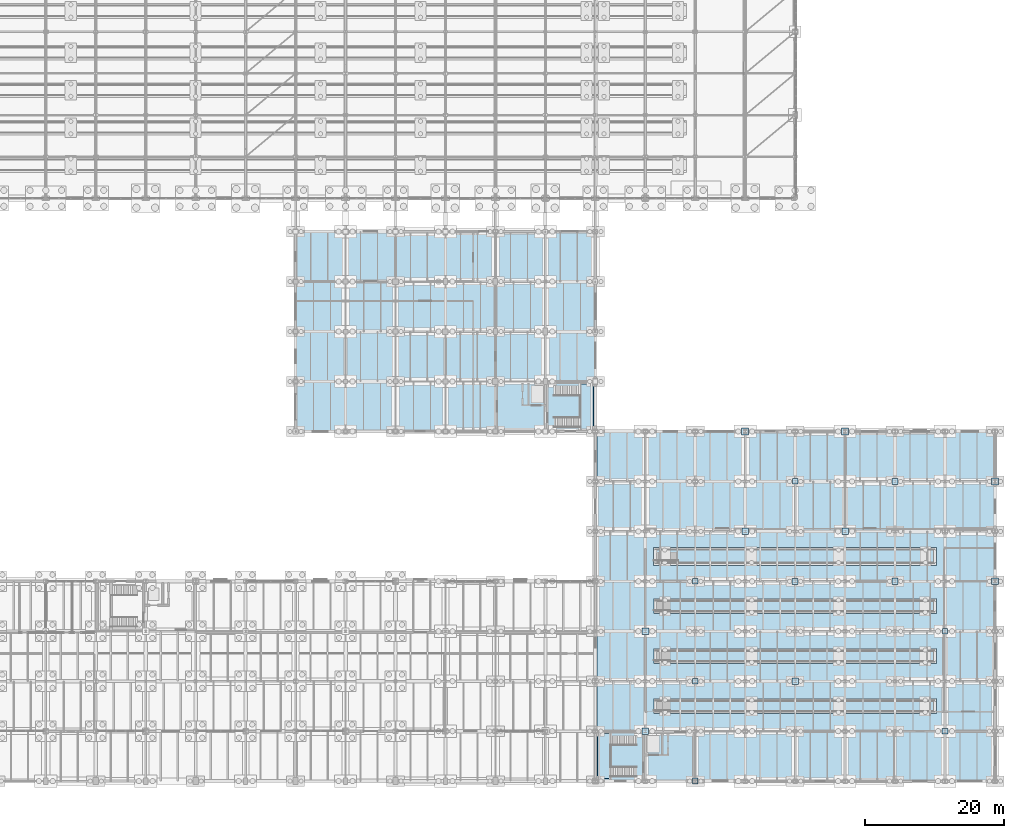
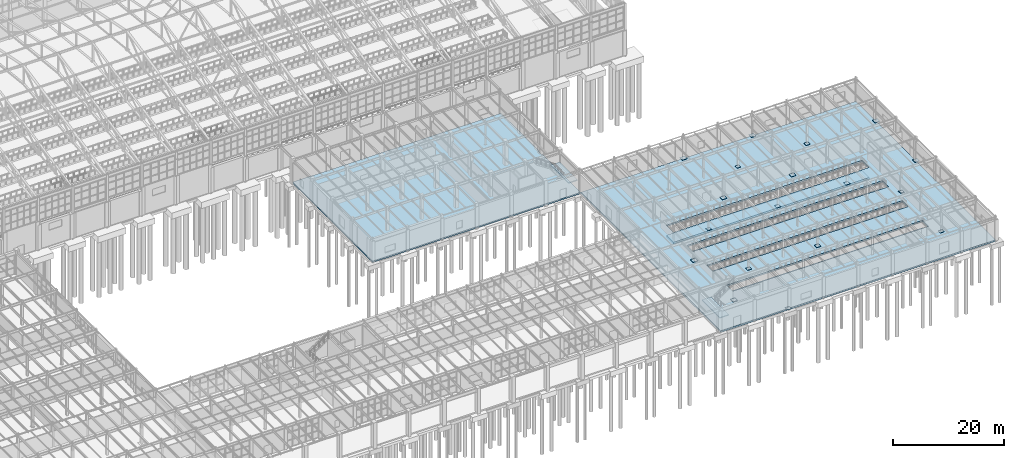
# One storey, part 244 of 293: 18 plates, 8 slabs, 2 elements without a shape of their own.
"""IFC4 building model written with IfcOpenShell, lengths in metres."""

import ifcopenshell
import ifcopenshell.guid

model = None  # the IFC model being written
_history = None  # IfcOwnerHistory: only IFC2X3 demands one
_inside = {}  # id of a spatial element -> (the spatial element, [elements in it])
_under = {}  # id of a project, library or spatial element -> (it, [spatial elements below it])
_declared = {}  # id of a project -> (the project, [libraries it declares])
_typed = {}  # id of a type object -> (the type object, [elements of that type])
_made_of = {}  # id of a material, layer set ... -> (it, [elements and type objects made of it])


def new_model(schema):
    """Start an empty IFC model of exactly this schema.

    Asked for "IFC4X3", IfcOpenShell would pick the latest addendum, in which some entities
    have other attributes; the version numbers below select the first issue.
    IFC2X3 requires an IfcOwnerHistory on every rooted entity: one is made here for all.
    """
    global model, _history
    if schema == "IFC4X3":
        model = ifcopenshell.file(schema_version=(4, 3, 0, 0))
    else:
        model = ifcopenshell.file(schema=schema)
    _inside.clear()
    _under.clear()
    _declared.clear()
    _typed.clear()
    _made_of.clear()
    _history = None
    if model.schema == "IFC2X3":
        org = make("IfcOrganization", Name="unknown")
        user = make(
            "IfcPersonAndOrganization",
            ThePerson=make("IfcPerson", FamilyName="unknown"),
            TheOrganization=org,
        )
        app = make(
            "IfcApplication",
            ApplicationDeveloper=org,
            Version="unknown",
            ApplicationFullName="unknown",
            ApplicationIdentifier="unknown",
        )
        _history = make(
            "IfcOwnerHistory",
            OwningUser=user,
            OwningApplication=app,
            ChangeAction="ADDED",
            CreationDate=0,
        )
    return model


def make(cls, **values):
    """One entity of the class cls with the attributes given. An attribute that is None is left unset."""
    return model.create_entity(
        cls, **{name: value for name, value in values.items() if value is not None}
    )


def rooted(cls, **values):
    """An entity with a GlobalId (a new one), such as an element, a storey or a relation."""
    return make(cls, GlobalId=ifcopenshell.guid.new(), OwnerHistory=_history, **values)


def si_unit(unit_type, name, prefix=None):
    """IfcSIUnit, for example si_unit("LENGTHUNIT", "METRE", prefix="MILLI")."""
    return make("IfcSIUnit", UnitType=unit_type, Prefix=prefix, Name=name)


def assignment(units):
    """IfcUnitAssignment: the units of a project."""
    return None if units is None else make("IfcUnitAssignment", Units=units)


def point(xyz):
    """IfcCartesianPoint."""
    return None if xyz is None else make("IfcCartesianPoint", Coordinates=xyz)


def direction(xyz):
    """IfcDirection."""
    return None if xyz is None else make("IfcDirection", DirectionRatios=xyz)


def frame(location, z_axis=None, x_axis=None):
    """IfcAxis2Placement3D, a coordinate frame: its origin and axes. An axis left out is left unset."""
    return make(
        "IfcAxis2Placement3D",
        Location=point(location),
        Axis=direction(z_axis),
        RefDirection=direction(x_axis),
    )


def frame_2d(location, x_axis=None):
    """IfcAxis2Placement2D, a coordinate frame in the plane: its origin and x axis."""
    return make(
        "IfcAxis2Placement2D", Location=point(location), RefDirection=direction(x_axis)
    )


def origin():
    """The frame at (0, 0, 0) with its axes left unset."""
    return frame((0.0, 0.0, 0.0))


def origin_2d():
    """The frame at (0, 0) in the plane with its x axis left unset."""
    return frame_2d((0.0, 0.0))


def place(relative_to, where):
    """IfcLocalPlacement: puts the frame where relative to a parent placement (None: the world)."""
    return make(
        "IfcLocalPlacement", PlacementRelTo=relative_to, RelativePlacement=where
    )


def context(
    kind, dimensions, precision=None, world=None, true_north=None, identifier=None
):
    """IfcGeometricRepresentationContext, for example the 3D "Model" context."""
    return make(
        "IfcGeometricRepresentationContext",
        ContextIdentifier=identifier,
        ContextType=kind,
        CoordinateSpaceDimension=dimensions,
        Precision=precision,
        WorldCoordinateSystem=world,
        TrueNorth=true_north,
    )


def subcontext(parent, identifier, kind, view, scale=None):
    """IfcGeometricRepresentationSubContext, for example "Body" below "Model"."""
    return make(
        "IfcGeometricRepresentationSubContext",
        ContextIdentifier=identifier,
        ContextType=kind,
        ParentContext=parent,
        TargetScale=scale,
        TargetView=view,
    )


def project(units=None, contexts=None):
    """IfcProject with its units and contexts."""
    return rooted(
        "IfcProject",
        Name="project",
        RepresentationContexts=contexts,
        UnitsInContext=assignment(units),
    )


def spatial(cls, under=None, at=None, **own):
    """A site, building, storey or space (cls), placed at a placement, below another one or the project."""
    s = rooted(cls, ObjectPlacement=at, **own)
    if under is not None:
        _under.setdefault(under.id(), (under, []))[1].append(s)
    return s


def polyline(points):
    """IfcPolyline through the points."""
    return make("IfcPolyline", Points=[point(p) for p in points])


def profile(cls, at=None, kind="AREA", **sizes):
    """A parametric profile (cls). Its sizes go by their IFC names, for example OverallWidth=200.0."""
    return make(cls, ProfileType=kind, Position=at, **sizes)


def rectangle(**sizes):
    """IfcRectangleProfileDef."""
    return profile("IfcRectangleProfileDef", **sizes)


def outline(outer, holes=None, kind="AREA"):
    """IfcArbitraryClosedProfileDef: a profile drawn as a closed curve; with holes, ...WithVoids."""
    if holes is None:
        return make("IfcArbitraryClosedProfileDef", ProfileType=kind, OuterCurve=outer)
    return make(
        "IfcArbitraryProfileDefWithVoids",
        ProfileType=kind,
        OuterCurve=outer,
        InnerCurves=holes,
    )


def extrude(swept, where, along, depth):
    """IfcExtrudedAreaSolid: the profile swept, set in the frame where, extruded along a direction by depth."""
    return make(
        "IfcExtrudedAreaSolid",
        SweptArea=swept,
        Position=where,
        ExtrudedDirection=direction(along),
        Depth=depth,
    )


def shape(context_of_items, identifier, shape_type, items):
    """IfcShapeRepresentation: the items that make up one representation, for example the "Body"."""
    return make(
        "IfcShapeRepresentation",
        ContextOfItems=context_of_items,
        RepresentationIdentifier=identifier,
        RepresentationType=shape_type,
        Items=items,
    )


def material(Name=None, Category=None):
    """IfcMaterial."""
    return make("IfcMaterial", Name=Name, Category=Category)


def layer(
    of_material, thickness, ventilated=None, Name=None, Category=None, Priority=None
):
    """IfcMaterialLayer: one layer of a wall or slab, of a material (None: an air gap)."""
    return make(
        "IfcMaterialLayer",
        Material=of_material,
        LayerThickness=thickness,
        IsVentilated=ventilated,
        Name=Name,
        Category=Category,
        Priority=Priority,
    )


def layer_set(layers, Name=None):
    """IfcMaterialLayerSet."""
    return make("IfcMaterialLayerSet", MaterialLayers=layers, LayerSetName=Name)


def made_of(thing, what):
    """Note that an element or type object is made of a material, layer set ...; save() writes the relation."""
    if what is not None:
        _made_of.setdefault(what.id(), (what, []))[1].append(thing)
    return thing


def type_object(cls, material=None, **own):
    """A type object (cls), such as IfcWallType, which elements share."""
    return made_of(rooted(cls, **own), material)


def element(
    cls,
    number,
    at=None,
    inside=None,
    cuts=None,
    type_object=None,
    material=None,
    context=None,
    identifier="Body",
    shape_type=None,
    held_by="IfcProductDefinitionShape",
    body=None,
    shapes=None,
    **own,
):
    """One element of the class cls, such as IfcWall. Its Tag is "e" and its number.

    at: its placement. inside: the storey or other place that contains it. cuts: it is an
    opening in that element (IfcRelVoidsElement). A single representation is given by context,
    identifier, shape_type and body (its items); several are given by shapes. held_by: the class
    of the entity that holds the representations. save() writes the other relations.
    """
    e = rooted(cls, Tag="e%d" % number, ObjectPlacement=at, **own)
    if body is not None:
        shapes = [shape(context, identifier, shape_type, body)]
    if shapes is not None:
        e.Representation = make(held_by, Representations=shapes)
    if inside is not None:
        _inside.setdefault(inside.id(), (inside, []))[1].append(e)
    if cuts is not None:
        rooted(
            "IfcRelVoidsElement", RelatingBuildingElement=cuts, RelatedOpeningElement=e
        )
    if type_object is not None:
        _typed.setdefault(type_object.id(), (type_object, []))[1].append(e)
    return made_of(e, material)


def aggregate(whole, parts):
    """IfcRelAggregates: a whole, such as a stair, and the parts it consists of."""
    return rooted("IfcRelAggregates", RelatingObject=whole, RelatedObjects=parts)


def save(model, path):
    """Write the relations noted so far, then the file.

    IfcRelAggregates (storeys below a building ...), IfcRelContainedInSpatialStructure (elements
    in a storey), IfcRelDefinesByType, IfcRelAssociatesMaterial and IfcRelDeclares: one each for
    every whole, place, type object, material and project.
    """
    for whole, parts in _under.values():
        aggregate(whole, parts)
    for where, things in _inside.values():
        rooted(
            "IfcRelContainedInSpatialStructure",
            RelatedElements=things,
            RelatingStructure=where,
        )
    for kind, things in _typed.values():
        rooted("IfcRelDefinesByType", RelatedObjects=things, RelatingType=kind)
    for what, things in _made_of.values():
        rooted("IfcRelAssociatesMaterial", RelatedObjects=things, RelatingMaterial=what)
    for by, libraries in _declared.values():
        rooted("IfcRelDeclares", RelatingContext=by, RelatedDefinitions=libraries)
    model.write(path)


model = new_model("IFC4")

# Units and contexts
model_context = context("Model", 3, precision=1e-05, world=origin(), true_north=direction((0.0, 1.0)))
body_context = subcontext(model_context, "Body", "Model", "MODEL_VIEW")
ifc_project = project(units=[si_unit("LENGTHUNIT", "METRE"), si_unit("AREAUNIT", "SQUARE_METRE"), si_unit("VOLUMEUNIT", "CUBIC_METRE"), si_unit("PLANEANGLEUNIT", "RADIAN"), si_unit("MASSUNIT", "GRAM", prefix="KILO")], contexts=[model_context])

# Site, building, storey
site_placement = place(None, origin())
site = spatial("IfcSite", under=ifc_project, at=site_placement, CompositionType="ELEMENT")
building_placement = place(site_placement, origin())
building = spatial("IfcBuilding", under=site, at=building_placement, Name="Kemerveld Promenade Tramway Depot", CompositionType="ELEMENT")
storey_placement = place(building_placement, origin())
storey = spatial("IfcBuildingStorey", under=building, at=storey_placement, Name="L00", CompositionType="ELEMENT", Elevation=0.0)

# Plates
ifc_material_1 = material(Name="Steel S355", Category="steel")
ifc_layer_1 = layer(ifc_material_1, 0.044921875)
ifc_layer_set_1 = layer_set([ifc_layer_1], Name="PL-BP01")
plate_type_1 = type_object("IfcPlateType", Name="PL-BP01", PredefinedType="USERDEFINED", material=ifc_layer_set_1)
for number, where, z_axis, x_axis, name in (
    (1, (187.199951171875, 14.39990234375, 0.0), (0.0, 0.0, 1.0), (1.0, 0.0, 0.0), "BP-27-C"),
    (2, (201.60009765625, 28.800048828125, 0.0), (0.0, 0.0, 1.0), (1.0, 0.0, 0.0), "BP-29-E"),
):
    element("IfcPlate", number, at=place(storey_placement, frame(where, z_axis=z_axis, x_axis=x_axis)), inside=storey, type_object=plate_type_1, Name=name, ObjectType="BASE_PLATE", PredefinedType="USERDEFINED", context=body_context, shape_type="SweptSolid", body=[
        extrude(rectangle(XDim=0.89990234375, YDim=0.89990234375, at=origin_2d()), origin(), (0.0, 0.0, 1.0), 0.044921875),
    ])
ifc_layer_2 = layer(ifc_material_1, 0.0400390625)
ifc_layer_set_2 = layer_set([ifc_layer_2], Name="PL-BP02")
plate_type_2 = type_object("IfcPlateType", Name="PL-BP02", PredefinedType="USERDEFINED", material=ifc_layer_set_2)
for number, where, z_axis, x_axis, name in (
    (3, (172.800048828125, 0.0, 0.0), (0.0, 0.0, 1.0), (1.0, 0.0, 0.0), "BP-25-A"),
    (4, (187.199951171875, 28.800048828125, 0.0), (0.0, 0.0, 1.0), (1.0, 0.0, 0.0), "BP-27-E"),
    (5, (201.60009765625, 43.199951171875, 0.0), (0.0, 0.0, 1.0), (1.0, 0.0, 0.0), "BP-29-G"),
):
    element("IfcPlate", number, at=place(storey_placement, frame(where, z_axis=z_axis, x_axis=x_axis)), inside=storey, type_object=plate_type_2, Name=name, ObjectType="BASE_PLATE", PredefinedType="USERDEFINED", context=body_context, shape_type="SweptSolid", body=[
        extrude(rectangle(XDim=0.85009765625, YDim=0.85009765625, at=origin_2d()), origin(), (0.0, 0.0, 1.0), 0.0400390625),
    ])
ifc_layer_3 = layer(ifc_material_1, 0.0400390625)
ifc_layer_set_3 = layer_set([ifc_layer_3], Name="PL-BP03")
plate_type_3 = type_object("IfcPlateType", Name="PL-BP03", PredefinedType="USERDEFINED", material=ifc_layer_set_3)
for number, where, z_axis, x_axis, name in (
    (6, (172.800048828125, 14.39990234375, 0.0), (0.0, 0.0, 1.0), (1.0, 0.0, 0.0), "BP-25-C"),
    (7, (187.199951171875, 43.199951171875, 0.0), (0.0, 0.0, 1.0), (1.0, 0.0, 0.0), "BP-27-G"),
    (8, (208.800048828125, 7.199951171875, 0.0), (0.0, 0.0, 1.0), (1.0, 0.0, 0.0), "BP-30-B"),
):
    element("IfcPlate", number, at=place(storey_placement, frame(where, z_axis=z_axis, x_axis=x_axis)), inside=storey, type_object=plate_type_3, Name=name, ObjectType="BASE_PLATE", PredefinedType="USERDEFINED", context=body_context, shape_type="SweptSolid", body=[
        extrude(rectangle(XDim=0.800048828125, YDim=0.800048828125, at=origin_2d()), origin(), (0.0, 0.0, 1.0), 0.0400390625),
    ])
ifc_layer_4 = layer(ifc_material_1, 0.034912109375)
ifc_layer_set_4 = layer_set([ifc_layer_4], Name="PL-BP04")
plate_type_4 = type_object("IfcPlateType", Name="PL-BP04", PredefinedType="USERDEFINED", material=ifc_layer_set_4)
for number, where, z_axis, x_axis, name in (
    (9, (172.800048828125, 28.800048828125, 0.0), (0.0, 0.0, 1.0), (1.0, 0.0, 0.0), "BP-25-E"),
    (10, (208.800048828125, 21.60009765625, 0.0), (0.0, 0.0, 1.0), (1.0, 0.0, 0.0), "BP-30-D"),
):
    element("IfcPlate", number, at=place(storey_placement, frame(where, z_axis=z_axis, x_axis=x_axis)), inside=storey, type_object=plate_type_4, Name=name, ObjectType="BASE_PLATE", PredefinedType="USERDEFINED", context=body_context, shape_type="SweptSolid", body=[
        extrude(rectangle(XDim=0.75, YDim=0.75, at=origin_2d()), origin(), (0.0, 0.0, 1.0), 0.034912109375),
    ])
ifc_layer_5 = layer(ifc_material_1, 0.050048828125)
ifc_layer_set_5 = layer_set([ifc_layer_5], Name="PL-BP09")
plate_type_5 = type_object("IfcPlateType", Name="PL-BP09", PredefinedType="USERDEFINED", material=ifc_layer_set_5)
for number, where, z_axis, x_axis, name in (
    (11, (165.60009765625, 7.199951171875, 0.0), (0.0, 0.0, 1.0), (1.0, 0.0, 0.0), "BP-24-B"),
    (12, (180.0, 36.0, 0.0), (0.0, 0.0, 1.0), (1.0, 0.0, 0.0), "BP-26-F"),
    (13, (194.39990234375, 36.0, 0.0), (0.0, 0.0, 1.0), (1.0, 0.0, 0.0), "BP-28-F"),
    (14, (216.0, 28.800048828125, 0.0), (0.0, 0.0, 1.0), (1.0, 0.0, 0.0), "BP-31-E"),
):
    element("IfcPlate", number, at=place(storey_placement, frame(where, z_axis=z_axis, x_axis=x_axis)), inside=storey, type_object=plate_type_5, Name=name, ObjectType="BASE_PLATE", PredefinedType="USERDEFINED", context=body_context, shape_type="SweptSolid", body=[
        extrude(rectangle(XDim=0.949951171875, YDim=0.949951171875, at=origin_2d()), origin(), (0.0, 0.0, 1.0), 0.050048828125),
    ])
ifc_layer_6 = layer(ifc_material_1, 0.050048828125)
ifc_layer_set_6 = layer_set([ifc_layer_6], Name="PL-BP10")
plate_type_6 = type_object("IfcPlateType", Name="PL-BP10", PredefinedType="USERDEFINED", material=ifc_layer_set_6)
for number, where, z_axis, x_axis, name in (
    (15, (165.60009765625, 21.60009765625, 0.0), (0.0, 0.0, 1.0), (1.0, 0.0, 0.0), "BP-24-D"),
    (16, (180.0, 50.39990234375, 0.0), (0.0, 0.0, 1.0), (1.0, 0.0, 0.0), "BP-26-H"),
    (17, (194.39990234375, 50.39990234375, 0.0), (0.0, 0.0, 1.0), (1.0, 0.0, 0.0), "BP-28-H"),
    (18, (216.0, 43.199951171875, 0.0), (0.0, 0.0, 1.0), (1.0, 0.0, 0.0), "BP-31-G"),
):
    element("IfcPlate", number, at=place(storey_placement, frame(where, z_axis=z_axis, x_axis=x_axis)), inside=storey, type_object=plate_type_6, Name=name, ObjectType="BASE_PLATE", PredefinedType="USERDEFINED", context=body_context, shape_type="SweptSolid", body=[
        extrude(rectangle(XDim=1.0, YDim=1.0, at=origin_2d()), origin(), (0.0, 0.0, 1.0), 0.050048828125),
    ])

# Slabs
ifc_material_2 = material(Name="Concrete C35/45", Category="concrete")
ifc_layer_7 = layer(ifc_material_2, 0.35009765625)
ifc_layer_set_7 = layer_set([ifc_layer_7], Name="SL-BS01")
slab_type_1 = type_object("IfcSlabType", Name="SL-BS01", PredefinedType="BASESLAB", material=ifc_layer_set_7)
slab_1_placement = place(storey_placement, frame((0.0, 0.0, -0.35009765625)))
element("IfcSlab", 19, at=slab_1_placement, inside=storey, type_object=slab_type_1, Name="SLB-L00-V2", PredefinedType="BASESLAB", context=body_context, shape_type="SweptSolid", body=[
    extrude(outline(polyline([(158.659912109375, 0.0), (216.0, 0.0), (216.0, 50.39990234375), (158.659912109375, 50.39990234375), (158.659912109375, 0.0)]), holes=[polyline([(166.85009765625, 9.75), (207.60009765625, 9.75), (207.60009765625, 11.89990234375), (166.85009765625, 11.89990234375), (166.85009765625, 9.75)]), polyline([(166.85009765625, 16.949951171875), (207.60009765625, 16.949951171875), (207.60009765625, 19.10009765625), (166.85009765625, 19.10009765625), (166.85009765625, 16.949951171875)]), polyline([(166.85009765625, 24.14990234375), (207.60009765625, 24.14990234375), (207.60009765625, 26.300048828125), (166.85009765625, 26.300048828125), (166.85009765625, 24.14990234375)]), polyline([(166.85009765625, 31.14990234375), (207.60009765625, 31.14990234375), (207.60009765625, 33.699951171875), (166.85009765625, 33.699951171875), (166.85009765625, 31.14990234375)])]), origin(), (0.0, 0.0, 1.0), 0.35009765625),
])
ifc_layer_8 = layer(ifc_material_2, 0.300048828125)
ifc_layer_set_8 = layer_set([ifc_layer_8], Name="SL-BS02")
slab_type_2 = type_object("IfcSlabType", Name="SL-BS02", PredefinedType="BASESLAB", material=ifc_layer_set_8)
slab_2_placement = place(storey_placement, frame((0.0, 0.0, -0.300048828125)))
element("IfcSlab", 20, at=slab_2_placement, inside=storey, type_object=slab_type_2, Name="SLB-L00-V3", PredefinedType="BASESLAB", context=body_context, shape_type="SweptSolid", body=[
    extrude(outline(polyline([(115.199951171875, 50.39990234375), (158.60009765625, 50.39990234375), (158.60009765625, 64.199951171875), (158.4599609375, 64.199951171875), (158.4599609375, 65.39990234375), (158.60009765625, 65.39990234375), (158.60009765625, 79.199951171875), (115.199951171875, 79.199951171875), (115.199951171875, 50.39990234375)])), origin(), (0.0, 0.0, 1.0), 0.300048828125),
])
ifc_material_3 = material(Name="Concrete C40/50", Category="concrete")
ifc_layer_9 = layer(ifc_material_3, 0.39990234375)
ifc_layer_set_9 = layer_set([ifc_layer_9], Name="SL-BS03")
slab_type_3 = type_object("IfcSlabType", Name="SL-BS03", PredefinedType="BASESLAB", material=ifc_layer_set_9)
slab_3_placement = place(storey_placement, frame((0.0, 0.0, -1.949951171875)))
element("IfcSlab", 21, at=slab_3_placement, inside=storey, type_object=slab_type_3, Name="SLB-PIT-08", PredefinedType="BASESLAB", context=body_context, shape_type="SweptSolid", body=[
    extrude(outline(polyline([(166.85009765625, 9.75), (207.550048828125, 9.75), (207.550048828125, 11.85009765625), (166.85009765625, 11.85009765625), (166.85009765625, 9.75)])), origin(), (0.0, 0.0, 1.0), 0.39990234375),
])
slab_4_placement = place(storey_placement, frame((0.0, 0.0, -1.949951171875)))
element("IfcSlab", 22, at=slab_4_placement, inside=storey, type_object=slab_type_3, Name="SLB-PIT-09", PredefinedType="BASESLAB", context=body_context, shape_type="SweptSolid", body=[
    extrude(outline(polyline([(166.85009765625, 16.949951171875), (207.550048828125, 16.949951171875), (207.550048828125, 19.050048828125), (166.85009765625, 19.050048828125), (166.85009765625, 16.949951171875)])), origin(), (0.0, 0.0, 1.0), 0.39990234375),
])
slab_5_placement = place(storey_placement, frame((0.0, 0.0, -1.949951171875)))
element("IfcSlab", 23, at=slab_5_placement, inside=storey, type_object=slab_type_3, Name="SLB-PIT-10", PredefinedType="BASESLAB", context=body_context, shape_type="SweptSolid", body=[
    extrude(outline(polyline([(166.85009765625, 24.14990234375), (207.550048828125, 24.14990234375), (207.550048828125, 26.25), (166.85009765625, 26.25), (166.85009765625, 24.14990234375)])), origin(), (0.0, 0.0, 1.0), 0.39990234375),
])
slab_6_placement = place(storey_placement, frame((0.0, 0.0, -2.60009765625)))
element("IfcSlab", 24, at=slab_6_placement, inside=storey, type_object=slab_type_3, Name="SLB-PIT-11", PredefinedType="BASESLAB", context=body_context, shape_type="SweptSolid", body=[
    extrude(outline(polyline([(166.800048828125, 31.10009765625), (207.60009765625, 31.10009765625), (207.60009765625, 33.699951171875), (166.800048828125, 33.699951171875), (166.800048828125, 31.10009765625)])), origin(), (0.0, 0.0, 1.0), 0.400146484375),
])

# Stair, slab
stair_type = type_object("IfcStairType", Name="STR-HT-L00", PredefinedType="HALF_TURN_STAIR", material=ifc_material_3)
stair_1_placement = place(storey_placement, origin())
stair_1 = element("IfcStair", 25, at=stair_1_placement, inside=storey, type_object=stair_type, Name="ST-05-L00", PredefinedType="HALF_TURN_STAIR")
ifc_layer_10 = layer(ifc_material_3, 0.199951171875)
ifc_layer_set_10 = layer_set([ifc_layer_10], Name="SL-LND-200")
slab_type_4 = type_object("IfcSlabType", Name="SL-LND-200", PredefinedType="LANDING", material=ifc_layer_set_10)
slab_7_placement = place(storey_placement, frame((0.0, 0.0, 2.5)))
slab_7 = element("IfcSlab", 26, at=slab_7_placement, type_object=slab_type_4, Name="ST-05-L00 landing 1", PredefinedType="LANDING", context=body_context, shape_type="SweptSolid", body=[
    extrude(outline(polyline([(158.679931640625, 0.360107421875), (160.56005859375, 0.360107421875), (160.56005859375, 6.840087890625), (158.679931640625, 6.840087890625), (158.679931640625, 0.360107421875)])), origin(), (0.0, 0.0, 1.0), 0.199951171875),
])
aggregate(stair_1, [slab_7])

stair_2_placement = place(storey_placement, origin())
stair_2 = element("IfcStair", 27, at=stair_2_placement, inside=storey, type_object=stair_type, Name="ST-06-L00", PredefinedType="HALF_TURN_STAIR")
slab_8_placement = place(storey_placement, frame((0.0, 0.0, 2.5)))
slab_8 = element("IfcSlab", 28, at=slab_8_placement, type_object=slab_type_4, Name="ST-06-L00 landing 1", PredefinedType="LANDING", context=body_context, shape_type="SweptSolid", body=[
    extrude(outline(polyline([(156.239990234375, 50.760009765625), (158.1201171875, 50.760009765625), (158.1201171875, 57.239990234375), (156.239990234375, 57.239990234375), (156.239990234375, 50.760009765625)])), origin(), (0.0, 0.0, 1.0), 0.199951171875),
])
aggregate(stair_2, [slab_8])

save(model, "model.ifc")
